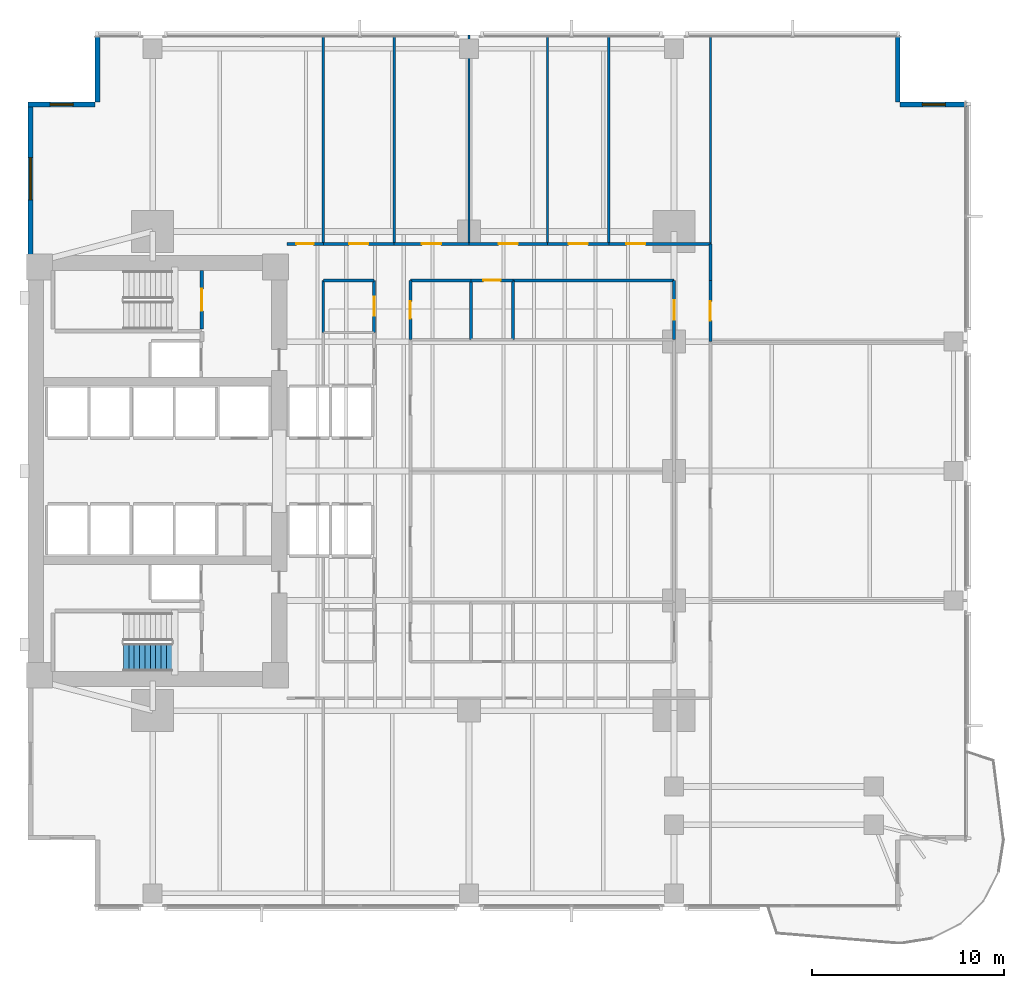
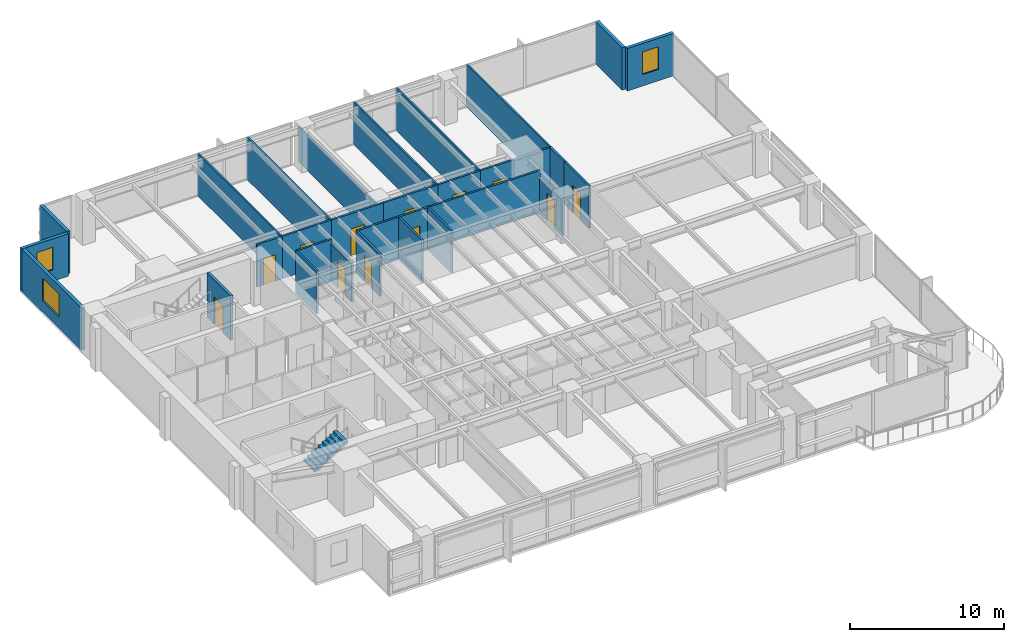
# One storey, part 10 of 15: 30 walls, 12 doors, 3 windows, 1 stair flight, 15 openings, 1 element without a shape of its own.
"""IFC4 building model written with IfcOpenShell, lengths in metres."""

from ifc_helpers import new_model, si_unit, direction, frame, frame_2d, origin, place, context, subcontext, project, spatial, polyline, rectangle, outline, extrude, material, layer, layer_set, type_object, element, fill, aggregate, save


model = new_model("IFC4")

# Units and contexts
model_context = context("Model", 3, precision=1e-05, world=origin(), true_north=direction((0.0, 1.0)))
body_context = subcontext(model_context, "Body", "Model", "MODEL_VIEW")
ifc_project = project(units=[si_unit("LENGTHUNIT", "METRE"), si_unit("AREAUNIT", "SQUARE_METRE"), si_unit("VOLUMEUNIT", "CUBIC_METRE"), si_unit("PLANEANGLEUNIT", "RADIAN"), si_unit("MASSUNIT", "GRAM", prefix="KILO")], contexts=[model_context])

# Site, building, storey
site_placement = place(None, origin())
site = spatial("IfcSite", under=ifc_project, at=site_placement, CompositionType="ELEMENT")
building_placement = place(site_placement, origin())
building = spatial("IfcBuilding", under=site, at=building_placement, Name="Kinhvarn Gate Tower", CompositionType="ELEMENT")
storey_placement = place(building_placement, frame((0.0, 0.0, 46.89990234375)))
storey = spatial("IfcBuildingStorey", under=building, at=storey_placement, Name="L11", CompositionType="ELEMENT", Elevation=46.89990234375)

# Wall, opening, window
ifc_material_1 = material(Name="Fired architectural terracotta", Category="masonry")
ifc_layer_1 = layer(ifc_material_1, 0.25)
ifc_layer_set_1 = layer_set([ifc_layer_1], Name="Fired architectural terracotta")
wall_type_1 = type_object("IfcWallType", Name="WL-EXT-250", PredefinedType="SOLIDWALL", material=ifc_layer_set_1)
wall_1_placement = place(storey_placement, frame((4.625, 44.5, 0.0), z_axis=(0.0, 0.0, 1.0), x_axis=(0.0, -1.0, 0.0)))
wall_1 = element("IfcWall", 1, at=wall_1_placement, inside=storey, type_object=wall_type_1, Name="Exterior Solidwall Wall EW-250 (L11 West-North)", PredefinedType="SOLIDWALL", context=body_context, shape_type="SweptSolid", body=[
    extrude(rectangle(XDim=8.0, YDim=0.25, at=frame_2d((4.0, 0.0))), origin(), (0.0, 0.0, 1.0), 3.3701171875),
])
opening_1_placement = place(wall_1_placement, frame((2.89990234375, 0.0, 0.89990234375)))
opening_1 = element("IfcOpeningElement", 2, at=opening_1_placement, cuts=wall_1, Name="Opening WN-01", PredefinedType="OPENING", context=body_context, shape_type="SweptSolid", body=[
    extrude(rectangle(XDim=2.199951171875, YDim=1.800048828125, at=frame_2d((1.10009765625, 0.89990234375))), frame((0.0, 0.135009765625, 0.0), z_axis=(0.0, -1.0, 0.0), x_axis=(1.0, 0.0, 0.0)), (0.0, 0.0, 1.0), 0.27001953125),
])
ifc_material_2 = material(Name="Clear low-e double glazing", Category="glass")
window_type_1 = type_object("IfcWindowType", Name="WIN-RIB-2200", PartitioningType="SINGLE_PANEL", PredefinedType="WINDOW", material=ifc_material_2)
window_1_placement = place(opening_1_placement, origin())
window_1 = element("IfcWindow", 3, at=window_1_placement, inside=storey, type_object=window_type_1, Name="West Flank Double-Glazed Ribbon Window 2200x1800 mm (L11)", OverallHeight=1.800048828125, OverallWidth=2.199951171875, PartitioningType="SINGLE_PANEL", PredefinedType="WINDOW", context=body_context, shape_type="SweptSolid", body=[
    extrude(rectangle(XDim=2.199951171875, YDim=1.800048828125, at=frame_2d((1.10009765625, 0.89990234375))), frame((0.0, 0.030029296875, 0.0), z_axis=(0.0, -1.0, 0.0), x_axis=(1.0, 0.0, 0.0)), (0.0, 0.0, 1.0), 0.06005859375),
])
fill(opening_1, window_1)

wall_2_placement = place(storey_placement, frame((53.5, 44.375, 0.0), z_axis=(0.0, 0.0, 1.0), x_axis=(-1.0, 0.0, 0.0)))
wall_2 = element("IfcWall", 4, at=wall_2_placement, inside=storey, type_object=wall_type_1, Name="Exterior Solidwall Wall EW-250 (L11 NE-Notch-1)", PredefinedType="SOLIDWALL", context=body_context, shape_type="SweptSolid", body=[
    extrude(rectangle(XDim=3.5, YDim=0.25, at=frame_2d((1.75, 0.0))), origin(), (0.0, 0.0, 1.0), 3.3701171875),
])
opening_2_placement = place(wall_2_placement, frame((1.14990234375, 0.0, 0.89990234375)))
opening_2 = element("IfcOpeningElement", 5, at=opening_2_placement, cuts=wall_2, Name="Opening WN-02", PredefinedType="OPENING", context=body_context, shape_type="SweptSolid", body=[
    extrude(rectangle(XDim=1.199951171875, YDim=1.800048828125, at=frame_2d((0.60009765625, 0.89990234375))), frame((0.0, 0.135009765625, 0.0), z_axis=(0.0, -1.0, 0.0), x_axis=(1.0, 0.0, 0.0)), (0.0, 0.0, 1.0), 0.27001953125),
])
window_type_2 = type_object("IfcWindowType", Name="WIN-NTC-1200", PartitioningType="SINGLE_PANEL", PredefinedType="WINDOW", material=ifc_material_2)
window_2_placement = place(opening_2_placement, origin())
window_2 = element("IfcWindow", 6, at=window_2_placement, inside=storey, type_object=window_type_2, Name="Recessed Corner Notch Punched Window 1200x1800 mm (L11)", OverallHeight=1.800048828125, OverallWidth=1.199951171875, PartitioningType="SINGLE_PANEL", PredefinedType="WINDOW", context=body_context, shape_type="SweptSolid", body=[
    extrude(rectangle(XDim=1.199951171875, YDim=1.800048828125, at=frame_2d((0.60009765625, 0.89990234375))), frame((0.0, 0.030029296875, 0.0), z_axis=(0.0, -1.0, 0.0), x_axis=(1.0, 0.0, 0.0)), (0.0, 0.0, 1.0), 0.06005859375),
])
fill(opening_2, window_2)

# Walls
for number, where, z_axis, x_axis, name in (
    (7, (49.875, 44.5, 0.0), (0.0, 0.0, 1.0), (0.0, 1.0, 0.0), "Exterior Solidwall Wall EW-250 (L11 NE-Notch-2)"),
    (8, (8.125, 48.0, 0.0), (0.0, 0.0, 1.0), (0.0, -1.0, 0.0), "Exterior Solidwall Wall EW-250 (L11 NW-Notch-1)"),
):
    element("IfcWall", number, at=place(storey_placement, frame(where, z_axis=z_axis, x_axis=x_axis)), inside=storey, type_object=wall_type_1, Name=name, PredefinedType="SOLIDWALL", context=body_context, shape_type="SweptSolid", body=[
        extrude(rectangle(XDim=3.5, YDim=0.25, at=frame_2d((1.75, 0.0))), origin(), (0.0, 0.0, 1.0), 3.3701171875),
    ])

# Wall, opening, window
wall_3_placement = place(storey_placement, frame((8.0, 44.375, 0.0), z_axis=(0.0, 0.0, 1.0), x_axis=(-1.0, 0.0, 0.0)))
wall_3 = element("IfcWall", 9, at=wall_3_placement, inside=storey, type_object=wall_type_1, Name="Exterior Solidwall Wall EW-250 (L11 NW-Notch-2)", PredefinedType="SOLIDWALL", context=body_context, shape_type="SweptSolid", body=[
    extrude(rectangle(XDim=3.5, YDim=0.25, at=frame_2d((1.75, 0.0))), origin(), (0.0, 0.0, 1.0), 3.3701171875),
])
opening_3_placement = place(wall_3_placement, frame((1.14990234375, 0.0, 0.89990234375)))
opening_3 = element("IfcOpeningElement", 10, at=opening_3_placement, cuts=wall_3, Name="Opening WN-02", PredefinedType="OPENING", context=body_context, shape_type="SweptSolid", body=[
    extrude(rectangle(XDim=1.199951171875, YDim=1.800048828125, at=frame_2d((0.60009765625, 0.89990234375))), frame((0.0, 0.135009765625, 0.0), z_axis=(0.0, -1.0, 0.0), x_axis=(1.0, 0.0, 0.0)), (0.0, 0.0, 1.0), 0.27001953125),
])
window_3_placement = place(opening_3_placement, origin())
window_3 = element("IfcWindow", 11, at=window_3_placement, inside=storey, type_object=window_type_2, Name="Recessed Corner Notch Punched Window 1200x1800 mm (L11)", OverallHeight=1.800048828125, OverallWidth=1.199951171875, PartitioningType="SINGLE_PANEL", PredefinedType="WINDOW", context=body_context, shape_type="SweptSolid", body=[
    extrude(rectangle(XDim=1.199951171875, YDim=1.800048828125, at=frame_2d((0.60009765625, 0.89990234375))), frame((0.0, 0.030029296875, 0.0), z_axis=(0.0, -1.0, 0.0), x_axis=(1.0, 0.0, 0.0)), (0.0, 0.0, 1.0), 0.06005859375),
])
fill(opening_3, window_3)

# Walls
ifc_material_3 = material(Name="Gypsum acoustic partition board")
ifc_layer_2 = layer(ifc_material_3, 0.14990234375)
ifc_layer_set_2 = layer_set([ifc_layer_2], Name="Gypsum acoustic partition board")
wall_type_2 = type_object("IfcWallType", Name="WL-PLM-150", PredefinedType="PLUMBINGWALL", material=ifc_layer_set_2)
for number, where, z_axis, x_axis, name in (
    (12, (27.60009765625, 32.10009765625, 0.0), (0.0, 0.0, 1.0), (0.0, 1.0, 0.0), "Interior Partition PLW-150 (L11)"),
    (13, (29.800048828125, 32.10009765625, 0.0), (0.0, 0.0, 1.0), (0.0, 1.0, 0.0), "Interior Partition PLW-150 (L11)"),
):
    element("IfcWall", number, at=place(storey_placement, frame(where, z_axis=z_axis, x_axis=x_axis)), inside=storey, type_object=wall_type_2, Name=name, PredefinedType="PLUMBINGWALL", context=body_context, shape_type="SweptSolid", body=[
        extrude(rectangle(XDim=3.099853515625, YDim=0.14990234375, at=frame_2d((1.5498046875, 0.0))), origin(), (0.0, 0.0, 1.0), 3.3701171875),
    ])

# Wall, opening, door
ifc_layer_3 = layer(ifc_material_3, 0.14990234375)
ifc_layer_set_3 = layer_set([ifc_layer_3], Name="Gypsum acoustic partition board")
wall_type_3 = type_object("IfcWallType", Name="WL-PLM-150F", PredefinedType="PLUMBINGWALL", material=ifc_layer_set_3)
wall_4_placement = place(storey_placement, frame((24.449951171875, 32.10009765625, 0.0), z_axis=(0.0, 0.0, 1.0), x_axis=(0.0, 1.0, 0.0)))
wall_4 = element("IfcWall", 14, at=wall_4_placement, inside=storey, type_object=wall_type_3, Name="Interior Partition PLW-150F (L11)", PredefinedType="PLUMBINGWALL", context=body_context, shape_type="SweptSolid", body=[
    extrude(rectangle(XDim=3.099853515625, YDim=0.14990234375, at=frame_2d((1.5498046875, 0.0))), origin(), (0.0, 0.0, 1.0), 3.3701171875),
])
opening_4_placement = place(wall_4_placement, frame((1.10009765625, 0.0, 0.0)))
opening_4 = element("IfcOpeningElement", 15, at=opening_4_placement, cuts=wall_4, Name="Opening FD-04", PredefinedType="OPENING", context=body_context, shape_type="SweptSolid", body=[
    extrude(rectangle(XDim=0.89990234375, YDim=2.10009765625, at=frame_2d((0.449951171875, 1.050048828125))), frame((0.0, 0.0849609375, 0.0), z_axis=(0.0, -1.0, 0.0), x_axis=(1.0, 0.0, 0.0)), (0.0, 0.0, 1.0), 0.169921875),
])
ifc_material_4 = material(Name="Anodised aluminium AW-6063", Category="aluminium")
door_type_1 = type_object("IfcDoorType", Name="DR-FD-900", OperationType="NOTDEFINED", PredefinedType="DOOR", material=ifc_material_4)
door_1_placement = place(opening_4_placement, origin())
door_1 = element("IfcDoor", 16, at=door_1_placement, inside=storey, type_object=door_type_1, Name="Rated Riser & Service Closet Fire Door 900x2100 mm (L11)", OperationType="SINGLE_SWING_LEFT", OverallHeight=2.10009765625, OverallWidth=0.89990234375, PredefinedType="DOOR", context=body_context, shape_type="SweptSolid", body=[
    extrude(rectangle(XDim=0.89990234375, YDim=2.10009765625, at=frame_2d((0.449951171875, 1.050048828125))), frame((0.0, 0.02490234375, 0.0), z_axis=(0.0, -1.0, 0.0), x_axis=(1.0, 0.0, 0.0)), (0.0, 0.0, 1.0), 0.050048828125),
])
fill(opening_4, door_1)

# Wall
wall_5_placement = place(storey_placement, frame((24.449951171875, 35.199951171875, 0.0), z_axis=(0.0, 0.0, 1.0), x_axis=(1.0, 0.0, 0.0)))
element("IfcWall", 17, at=wall_5_placement, inside=storey, type_object=wall_type_3, Name="Interior Partition PLW-150F (L11)", PredefinedType="PLUMBINGWALL", context=body_context, shape_type="SweptSolid", body=[
    extrude(rectangle(XDim=3.150146484375, YDim=0.14990234375, at=frame_2d((1.5751953125, 0.0))), origin(), (0.0, 0.0, 1.0), 3.3701171875),
])

# Wall, opening, door
wall_6_placement = place(storey_placement, frame((27.60009765625, 35.199951171875, 0.0), z_axis=(0.0, 0.0, 1.0), x_axis=(1.0, 0.0, 0.0)))
wall_6 = element("IfcWall", 18, at=wall_6_placement, inside=storey, type_object=wall_type_3, Name="Interior Partition PLW-150F (L11)", PredefinedType="PLUMBINGWALL", context=body_context, shape_type="SweptSolid", body=[
    extrude(rectangle(XDim=2.199951171875, YDim=0.14990234375, at=frame_2d((1.10009765625, 0.0))), origin(), (0.0, 0.0, 1.0), 3.3701171875),
])
opening_5_placement = place(wall_6_placement, frame((0.64990234375, 0.0, 0.0)))
opening_5 = element("IfcOpeningElement", 19, at=opening_5_placement, cuts=wall_6, Name="Opening FD-04", PredefinedType="OPENING", context=body_context, shape_type="SweptSolid", body=[
    extrude(rectangle(XDim=0.89990234375, YDim=2.10009765625, at=frame_2d((0.449951171875, 1.050048828125))), frame((0.0, 0.0849609375, 0.0), z_axis=(0.0, -1.0, 0.0), x_axis=(1.0, 0.0, 0.0)), (0.0, 0.0, 1.0), 0.169921875),
])
door_2_placement = place(opening_5_placement, origin())
door_2 = element("IfcDoor", 20, at=door_2_placement, inside=storey, type_object=door_type_1, Name="Rated Riser & Service Closet Fire Door 900x2100 mm (L11)", OperationType="SINGLE_SWING_LEFT", OverallHeight=2.10009765625, OverallWidth=0.89990234375, PredefinedType="DOOR", context=body_context, shape_type="SweptSolid", body=[
    extrude(rectangle(XDim=0.89990234375, YDim=2.10009765625, at=frame_2d((0.449951171875, 1.050048828125))), frame((0.0, 0.02490234375, 0.0), z_axis=(0.0, -1.0, 0.0), x_axis=(1.0, 0.0, 0.0)), (0.0, 0.0, 1.0), 0.050048828125),
])
fill(opening_5, door_2)

# Walls
ifc_layer_4 = layer(ifc_material_3, 0.1201171875)
ifc_layer_set_4 = layer_set([ifc_layer_4], Name="Gypsum acoustic partition board")
wall_type_4 = type_object("IfcWallType", Name="WL-PRT-120", PredefinedType="PARTITIONING", material=ifc_layer_set_4)
for number, where, z_axis, x_axis, name in (
    (21, (19.89990234375, 37.10009765625, 0.0), (0.0, 0.0, 1.0), (0.0, 1.0, 0.0), "Interior Partition PW-120 (L11)"),
    (22, (23.60009765625, 37.10009765625, 0.0), (0.0, 0.0, 1.0), (0.0, 1.0, 0.0), "Interior Partition PW-120 (L11)"),
):
    element("IfcWall", number, at=place(storey_placement, frame(where, z_axis=z_axis, x_axis=x_axis)), inside=storey, type_object=wall_type_4, Name=name, PredefinedType="PARTITIONING", context=body_context, shape_type="SweptSolid", body=[
        extrude(rectangle(XDim=10.889892578125, YDim=0.1201171875, at=frame_2d((5.44482421875, 0.0))), origin(), (0.0, 0.0, 1.0), 3.3701171875),
    ])
wall_7_placement = place(storey_placement, frame((27.5, 37.10009765625, 0.0), z_axis=(0.0, 0.0, 1.0), x_axis=(0.0, 1.0, 0.0)))
element("IfcWall", 23, at=wall_7_placement, inside=storey, type_object=wall_type_4, Name="Interior Partition PW-120 (L11)", PredefinedType="PARTITIONING", context=body_context, shape_type="SweptSolid", body=[
    extrude(rectangle(XDim=10.889892578125, YDim=0.1201171875, at=frame_2d((5.44482421875, 0.0))), origin(), (0.0, 0.0, 1.0), 2.820068359375),
])
for number, where, z_axis, x_axis, name in (
    (24, (31.60009765625, 37.10009765625, 0.0), (0.0, 0.0, 1.0), (0.0, 1.0, 0.0), "Interior Partition PW-120 (L11)"),
    (25, (34.800048828125, 37.10009765625, 0.0), (0.0, 0.0, 1.0), (0.0, 1.0, 0.0), "Interior Partition PW-120 (L11)"),
    (26, (40.10009765625, 37.10009765625, 0.0), (0.0, 0.0, 1.0), (0.0, 1.0, 0.0), "Interior Partition PW-120 (L11)"),
):
    element("IfcWall", number, at=place(storey_placement, frame(where, z_axis=z_axis, x_axis=x_axis)), inside=storey, type_object=wall_type_4, Name=name, PredefinedType="PARTITIONING", context=body_context, shape_type="SweptSolid", body=[
        extrude(rectangle(XDim=10.889892578125, YDim=0.1201171875, at=frame_2d((5.44482421875, 0.0))), origin(), (0.0, 0.0, 1.0), 3.3701171875),
    ])

# Wall, opening, door
ifc_layer_5 = layer(ifc_material_3, 0.14990234375)
ifc_layer_set_5 = layer_set([ifc_layer_5], Name="Gypsum acoustic partition board")
wall_type_5 = type_object("IfcWallType", Name="WL-PRT-150F", PredefinedType="PARTITIONING", material=ifc_layer_set_5)
wall_8_placement = place(storey_placement, frame((22.550048828125, 32.47998046875, 0.0), z_axis=(0.0, 0.0, 1.0), x_axis=(0.0, 1.0, 0.0)))
wall_8 = element("IfcWall", 27, at=wall_8_placement, inside=storey, type_object=wall_type_5, Name="Interior Partition PW-150F (L11)", PredefinedType="PARTITIONING", context=body_context, shape_type="SweptSolid", body=[
    extrude(rectangle(XDim=2.719970703125, YDim=0.14990234375, at=frame_2d((1.35986328125, 0.0))), origin(), (0.0, 0.0, 1.0), 3.010009765625),
])
opening_6_placement = place(wall_8_placement, frame((0.860107421875, 0.0, 0.0)))
opening_6 = element("IfcOpeningElement", 28, at=opening_6_placement, cuts=wall_8, Name="Opening ID-02", PredefinedType="OPENING", context=body_context, shape_type="SweptSolid", body=[
    extrude(rectangle(XDim=1.0, YDim=2.14990234375, at=frame_2d((0.5, 1.074951171875))), frame((0.0, 0.0849609375, 0.0), z_axis=(0.0, -1.0, 0.0), x_axis=(1.0, 0.0, 0.0)), (0.0, 0.0, 1.0), 0.169921875),
])
door_type_2 = type_object("IfcDoorType", Name="DR-INT-1000", OperationType="NOTDEFINED", PredefinedType="DOOR", material=ifc_material_4)
door_3_placement = place(opening_6_placement, origin())
door_3 = element("IfcDoor", 29, at=door_3_placement, inside=storey, type_object=door_type_2, Name="Standard Office & Meeting Room Door 1000x2150 mm (L11)", OperationType="SINGLE_SWING_LEFT", OverallHeight=2.14990234375, OverallWidth=1.0, PredefinedType="DOOR", context=body_context, shape_type="SweptSolid", body=[
    extrude(rectangle(XDim=1.0, YDim=2.14990234375, at=frame_2d((0.5, 1.074951171875))), frame((0.0, 0.02490234375, 0.0), z_axis=(0.0, -1.0, 0.0), x_axis=(1.0, 0.0, 0.0)), (0.0, 0.0, 1.0), 0.050048828125),
])
fill(opening_6, door_3)

# Walls
wall_9_placement = place(storey_placement, frame((19.89990234375, 32.47998046875, 0.0), z_axis=(0.0, 0.0, 1.0), x_axis=(0.0, 1.0, 0.0)))
element("IfcWall", 30, at=wall_9_placement, inside=storey, type_object=wall_type_5, Name="Interior Partition PW-150F (L11)", PredefinedType="PARTITIONING", context=body_context, shape_type="SweptSolid", body=[
    extrude(rectangle(XDim=2.719970703125, YDim=0.14990234375, at=frame_2d((1.35986328125, 0.0))), origin(), (0.0, 0.0, 1.0), 3.3701171875),
])
wall_10_placement = place(storey_placement, frame((19.89990234375, 35.199951171875, 0.0), z_axis=(0.0, 0.0, 1.0), x_axis=(1.0, 0.0, 0.0)))
element("IfcWall", 31, at=wall_10_placement, inside=storey, type_object=wall_type_5, Name="Interior Partition PW-150F (L11)", PredefinedType="PARTITIONING", context=body_context, shape_type="SweptSolid", body=[
    extrude(rectangle(XDim=2.650146484375, YDim=0.14990234375, at=frame_2d((1.3251953125, 0.0))), origin(), (0.0, 0.0, 1.0), 3.3701171875),
])
wall_11_placement = place(storey_placement, frame((29.800048828125, 35.199951171875, 0.0), z_axis=(0.0, 0.0, 1.0), x_axis=(1.0, 0.0, 0.0)))
element("IfcWall", 32, at=wall_11_placement, inside=storey, type_object=wall_type_5, Name="Interior Partition PW-150F (L11)", PredefinedType="PARTITIONING", context=body_context, shape_type="SweptSolid", body=[
    extrude(rectangle(XDim=8.39990234375, YDim=0.14990234375, at=frame_2d((4.199951171875, 0.0))), origin(), (0.0, 0.0, 1.0), 3.3701171875),
])

# Wall, opening, door
wall_12_placement = place(storey_placement, frame((18.0, 37.10009765625, 0.0), z_axis=(0.0, 0.0, 1.0), x_axis=(1.0, 0.0, 0.0)))
wall_12 = element("IfcWall", 33, at=wall_12_placement, inside=storey, type_object=wall_type_5, Name="Interior Partition PW-150F (L11)", PredefinedType="PARTITIONING", context=body_context, shape_type="SweptSolid", body=[
    extrude(rectangle(XDim=1.89990234375, YDim=0.14990234375, at=frame_2d((0.949951171875, 0.0))), origin(), (0.0, 0.0, 1.0), 3.3701171875),
])
opening_7_placement = place(wall_12_placement, frame((0.5, 0.0, 0.0)))
opening_7 = element("IfcOpeningElement", 34, at=opening_7_placement, cuts=wall_12, Name="Opening ID-03", PredefinedType="OPENING", context=body_context, shape_type="SweptSolid", body=[
    extrude(rectangle(XDim=0.89990234375, YDim=2.10009765625, at=frame_2d((0.449951171875, 1.050048828125))), frame((0.0, 0.0849609375, 0.0), z_axis=(0.0, -1.0, 0.0), x_axis=(1.0, 0.0, 0.0)), (0.0, 0.0, 1.0), 0.169921875),
])
door_type_3 = type_object("IfcDoorType", Name="DR-INT-900", OperationType="NOTDEFINED", PredefinedType="DOOR", material=ifc_material_4)
door_4_placement = place(opening_7_placement, origin())
door_4 = element("IfcDoor", 35, at=door_4_placement, inside=storey, type_object=door_type_3, Name="Cellular Office & Restroom Door 900x2100 mm (L11)", OperationType="SINGLE_SWING_RIGHT", OverallHeight=2.10009765625, OverallWidth=0.89990234375, PredefinedType="DOOR", context=body_context, shape_type="SweptSolid", body=[
    extrude(rectangle(XDim=0.89990234375, YDim=2.10009765625, at=frame_2d((0.449951171875, 1.050048828125))), frame((0.0, 0.02490234375, 0.0), z_axis=(0.0, -1.0, 0.0), x_axis=(1.0, 0.0, 0.0)), (0.0, 0.0, 1.0), 0.050048828125),
])
fill(opening_7, door_4)

wall_13_placement = place(storey_placement, frame((19.89990234375, 37.10009765625, 0.0), z_axis=(0.0, 0.0, 1.0), x_axis=(1.0, 0.0, 0.0)))
wall_13 = element("IfcWall", 36, at=wall_13_placement, inside=storey, type_object=wall_type_5, Name="Interior Partition PW-150F (L11)", PredefinedType="PARTITIONING", context=body_context, shape_type="SweptSolid", body=[
    extrude(rectangle(XDim=3.7001953125, YDim=0.14990234375, at=frame_2d((1.85009765625, 0.0))), origin(), (0.0, 0.0, 1.0), 3.3701171875),
])
opening_8_placement = place(wall_13_placement, frame((1.35009765625, 0.0, 0.0)))
opening_8 = element("IfcOpeningElement", 37, at=opening_8_placement, cuts=wall_13, Name="Opening ID-02", PredefinedType="OPENING", context=body_context, shape_type="SweptSolid", body=[
    extrude(rectangle(XDim=1.0, YDim=2.14990234375, at=frame_2d((0.5, 1.074951171875))), frame((0.0, 0.0849609375, 0.0), z_axis=(0.0, -1.0, 0.0), x_axis=(1.0, 0.0, 0.0)), (0.0, 0.0, 1.0), 0.169921875),
])
door_5_placement = place(opening_8_placement, origin())
door_5 = element("IfcDoor", 38, at=door_5_placement, inside=storey, type_object=door_type_2, Name="Standard Office & Meeting Room Door 1000x2150 mm (L11)", OperationType="SINGLE_SWING_LEFT", OverallHeight=2.14990234375, OverallWidth=1.0, PredefinedType="DOOR", context=body_context, shape_type="SweptSolid", body=[
    extrude(rectangle(XDim=1.0, YDim=2.14990234375, at=frame_2d((0.5, 1.074951171875))), frame((0.0, 0.02490234375, 0.0), z_axis=(0.0, -1.0, 0.0), x_axis=(1.0, 0.0, 0.0)), (0.0, 0.0, 1.0), 0.050048828125),
])
fill(opening_8, door_5)

wall_14_placement = place(storey_placement, frame((23.60009765625, 37.10009765625, 0.0), z_axis=(0.0, 0.0, 1.0), x_axis=(1.0, 0.0, 0.0)))
wall_14 = element("IfcWall", 39, at=wall_14_placement, inside=storey, type_object=wall_type_5, Name="Interior Partition PW-150F (L11)", PredefinedType="PARTITIONING", context=body_context, shape_type="SweptSolid", body=[
    extrude(rectangle(XDim=3.89990234375, YDim=0.14990234375, at=frame_2d((1.949951171875, 0.0))), origin(), (0.0, 0.0, 1.0), 3.3701171875),
])
opening_9_placement = place(wall_14_placement, frame((1.449951171875, 0.0, 0.0)))
opening_9 = element("IfcOpeningElement", 40, at=opening_9_placement, cuts=wall_14, Name="Opening ID-02", PredefinedType="OPENING", context=body_context, shape_type="SweptSolid", body=[
    extrude(rectangle(XDim=1.0, YDim=2.14990234375, at=frame_2d((0.5, 1.074951171875))), frame((0.0, 0.0849609375, 0.0), z_axis=(0.0, -1.0, 0.0), x_axis=(1.0, 0.0, 0.0)), (0.0, 0.0, 1.0), 0.169921875),
])
door_6_placement = place(opening_9_placement, origin())
door_6 = element("IfcDoor", 41, at=door_6_placement, inside=storey, type_object=door_type_2, Name="Standard Office & Meeting Room Door 1000x2150 mm (L11)", OperationType="SINGLE_SWING_RIGHT", OverallHeight=2.14990234375, OverallWidth=1.0, PredefinedType="DOOR", context=body_context, shape_type="SweptSolid", body=[
    extrude(rectangle(XDim=1.0, YDim=2.14990234375, at=frame_2d((0.5, 1.074951171875))), frame((0.0, 0.02490234375, 0.0), z_axis=(0.0, -1.0, 0.0), x_axis=(1.0, 0.0, 0.0)), (0.0, 0.0, 1.0), 0.050048828125),
])
fill(opening_9, door_6)

wall_15_placement = place(storey_placement, frame((27.5, 37.10009765625, 0.0), z_axis=(0.0, 0.0, 1.0), x_axis=(1.0, 0.0, 0.0)))
wall_15 = element("IfcWall", 42, at=wall_15_placement, inside=storey, type_object=wall_type_5, Name="Interior Partition PW-150F (L11)", PredefinedType="PARTITIONING", context=body_context, shape_type="SweptSolid", body=[
    extrude(rectangle(XDim=4.10009765625, YDim=0.14990234375, at=frame_2d((2.050048828125, 0.0))), origin(), (0.0, 0.0, 1.0), 3.3701171875),
])
opening_10_placement = place(wall_15_placement, frame((1.550048828125, 0.0, 0.0)))
opening_10 = element("IfcOpeningElement", 43, at=opening_10_placement, cuts=wall_15, Name="Opening ID-02", PredefinedType="OPENING", context=body_context, shape_type="SweptSolid", body=[
    extrude(rectangle(XDim=1.0, YDim=2.14990234375, at=frame_2d((0.5, 1.074951171875))), frame((0.0, 0.0849609375, 0.0), z_axis=(0.0, -1.0, 0.0), x_axis=(1.0, 0.0, 0.0)), (0.0, 0.0, 1.0), 0.169921875),
])
door_7_placement = place(opening_10_placement, origin())
door_7 = element("IfcDoor", 44, at=door_7_placement, inside=storey, type_object=door_type_2, Name="Standard Office & Meeting Room Door 1000x2150 mm (L11)", OperationType="SINGLE_SWING_LEFT", OverallHeight=2.14990234375, OverallWidth=1.0, PredefinedType="DOOR", context=body_context, shape_type="SweptSolid", body=[
    extrude(rectangle(XDim=1.0, YDim=2.14990234375, at=frame_2d((0.5, 1.074951171875))), frame((0.0, 0.02490234375, 0.0), z_axis=(0.0, -1.0, 0.0), x_axis=(1.0, 0.0, 0.0)), (0.0, 0.0, 1.0), 0.050048828125),
])
fill(opening_10, door_7)

wall_16_placement = place(storey_placement, frame((31.60009765625, 37.10009765625, 0.0), z_axis=(0.0, 0.0, 1.0), x_axis=(1.0, 0.0, 0.0)))
wall_16 = element("IfcWall", 45, at=wall_16_placement, inside=storey, type_object=wall_type_5, Name="Interior Partition PW-150F (L11)", PredefinedType="PARTITIONING", context=body_context, shape_type="SweptSolid", body=[
    extrude(rectangle(XDim=3.199951171875, YDim=0.14990234375, at=frame_2d((1.60009765625, 0.0))), origin(), (0.0, 0.0, 1.0), 3.3701171875),
])
opening_11_placement = place(wall_16_placement, frame((1.10009765625, 0.0, 0.0)))
opening_11 = element("IfcOpeningElement", 46, at=opening_11_placement, cuts=wall_16, Name="Opening ID-02", PredefinedType="OPENING", context=body_context, shape_type="SweptSolid", body=[
    extrude(rectangle(XDim=1.0, YDim=2.14990234375, at=frame_2d((0.5, 1.074951171875))), frame((0.0, 0.0849609375, 0.0), z_axis=(0.0, -1.0, 0.0), x_axis=(1.0, 0.0, 0.0)), (0.0, 0.0, 1.0), 0.169921875),
])
door_8_placement = place(opening_11_placement, origin())
door_8 = element("IfcDoor", 47, at=door_8_placement, inside=storey, type_object=door_type_2, Name="Standard Office & Meeting Room Door 1000x2150 mm (L11)", OperationType="SINGLE_SWING_RIGHT", OverallHeight=2.14990234375, OverallWidth=1.0, PredefinedType="DOOR", context=body_context, shape_type="SweptSolid", body=[
    extrude(rectangle(XDim=1.0, YDim=2.14990234375, at=frame_2d((0.5, 1.074951171875))), frame((0.0, 0.02490234375, 0.0), z_axis=(0.0, -1.0, 0.0), x_axis=(1.0, 0.0, 0.0)), (0.0, 0.0, 1.0), 0.050048828125),
])
fill(opening_11, door_8)

wall_17_placement = place(storey_placement, frame((34.800048828125, 37.10009765625, 0.0), z_axis=(0.0, 0.0, 1.0), x_axis=(1.0, 0.0, 0.0)))
wall_17 = element("IfcWall", 48, at=wall_17_placement, inside=storey, type_object=wall_type_5, Name="Interior Partition PW-150F (L11)", PredefinedType="PARTITIONING", context=body_context, shape_type="SweptSolid", body=[
    extrude(rectangle(XDim=5.300048828125, YDim=0.14990234375, at=frame_2d((2.64990234375, 0.0))), origin(), (0.0, 0.0, 1.0), 3.3701171875),
])
opening_12_placement = place(wall_17_placement, frame((0.909912109375, 0.0, 0.0)))
opening_12 = element("IfcOpeningElement", 49, at=opening_12_placement, cuts=wall_17, Name="Opening ID-02", PredefinedType="OPENING", context=body_context, shape_type="SweptSolid", body=[
    extrude(rectangle(XDim=1.0, YDim=2.14990234375, at=frame_2d((0.5, 1.074951171875))), frame((0.0, 0.0849609375, 0.0), z_axis=(0.0, -1.0, 0.0), x_axis=(1.0, 0.0, 0.0)), (0.0, 0.0, 1.0), 0.169921875),
])
door_9_placement = place(opening_12_placement, origin())
door_9 = element("IfcDoor", 50, at=door_9_placement, inside=storey, type_object=door_type_2, Name="Standard Office & Meeting Room Door 1000x2150 mm (L11)", OperationType="SINGLE_SWING_LEFT", OverallHeight=2.14990234375, OverallWidth=1.0, PredefinedType="DOOR", context=body_context, shape_type="SweptSolid", body=[
    extrude(rectangle(XDim=1.0, YDim=2.14990234375, at=frame_2d((0.5, 1.074951171875))), frame((0.0, 0.02490234375, 0.0), z_axis=(0.0, -1.0, 0.0), x_axis=(1.0, 0.0, 0.0)), (0.0, 0.0, 1.0), 0.050048828125),
])
fill(opening_12, door_9)

# Wall
wall_18_placement = place(storey_placement, frame((40.10009765625, 35.199951171875, 0.0), z_axis=(0.0, 0.0, 1.0), x_axis=(0.0, 1.0, 0.0)))
element("IfcWall", 51, at=wall_18_placement, inside=storey, type_object=wall_type_5, Name="Interior Partition PW-150F (L11)", PredefinedType="PARTITIONING", context=body_context, shape_type="SweptSolid", body=[
    extrude(rectangle(XDim=1.900146484375, YDim=0.14990234375, at=frame_2d((0.9501953125, 0.0))), origin(), (0.0, 0.0, 1.0), 3.3701171875),
])

# Wall, opening, door
wall_19_placement = place(storey_placement, frame((38.199951171875, 32.10009765625, 0.0), z_axis=(0.0, 0.0, 1.0), x_axis=(0.0, 1.0, 0.0)))
wall_19 = element("IfcWall", 52, at=wall_19_placement, inside=storey, type_object=wall_type_5, Name="Interior Partition PW-150F (L11)", PredefinedType="PARTITIONING", context=body_context, shape_type="SweptSolid", body=[
    extrude(rectangle(XDim=3.099853515625, YDim=0.14990234375, at=frame_2d((1.5498046875, 0.0))), origin(), (0.0, 0.0, 1.0), 2.820068359375),
])
opening_13_placement = place(wall_19_placement, frame((1.050048828125, 0.0, 0.0)))
opening_13 = element("IfcOpeningElement", 53, at=opening_13_placement, cuts=wall_19, Name="Opening ID-02", PredefinedType="OPENING", context=body_context, shape_type="SweptSolid", body=[
    extrude(rectangle(XDim=1.0, YDim=2.14990234375, at=frame_2d((0.5, 1.074951171875))), frame((0.0, 0.0849609375, 0.0), z_axis=(0.0, -1.0, 0.0), x_axis=(1.0, 0.0, 0.0)), (0.0, 0.0, 1.0), 0.169921875),
])
door_10_placement = place(opening_13_placement, origin())
door_10 = element("IfcDoor", 54, at=door_10_placement, inside=storey, type_object=door_type_2, Name="Standard Office & Meeting Room Door 1000x2150 mm (L11)", OperationType="SINGLE_SWING_LEFT", OverallHeight=2.14990234375, OverallWidth=1.0, PredefinedType="DOOR", context=body_context, shape_type="SweptSolid", body=[
    extrude(rectangle(XDim=1.0, YDim=2.14990234375, at=frame_2d((0.5, 1.074951171875))), frame((0.0, 0.02490234375, 0.0), z_axis=(0.0, -1.0, 0.0), x_axis=(1.0, 0.0, 0.0)), (0.0, 0.0, 1.0), 0.050048828125),
])
fill(opening_13, door_10)

wall_20_placement = place(storey_placement, frame((40.10009765625, 32.0, 0.0), z_axis=(0.0, 0.0, 1.0), x_axis=(0.0, 1.0, 0.0)))
wall_20 = element("IfcWall", 55, at=wall_20_placement, inside=storey, type_object=wall_type_5, Name="Interior Partition PW-150F (L11)", PredefinedType="PARTITIONING", context=body_context, shape_type="SweptSolid", body=[
    extrude(rectangle(XDim=3.199951171875, YDim=0.14990234375, at=frame_2d((1.60009765625, 0.0))), origin(), (0.0, 0.0, 1.0), 3.3701171875),
])
opening_14_placement = place(wall_20_placement, frame((1.10009765625, 0.0, 0.0)))
opening_14 = element("IfcOpeningElement", 56, at=opening_14_placement, cuts=wall_20, Name="Opening ID-02", PredefinedType="OPENING", context=body_context, shape_type="SweptSolid", body=[
    extrude(rectangle(XDim=1.0, YDim=2.14990234375, at=frame_2d((0.5, 1.074951171875))), frame((0.0, 0.0849609375, 0.0), z_axis=(0.0, -1.0, 0.0), x_axis=(1.0, 0.0, 0.0)), (0.0, 0.0, 1.0), 0.169921875),
])
door_11_placement = place(opening_14_placement, origin())
door_11 = element("IfcDoor", 57, at=door_11_placement, inside=storey, type_object=door_type_2, Name="Standard Office & Meeting Room Door 1000x2150 mm (L11)", OperationType="SINGLE_SWING_RIGHT", OverallHeight=2.14990234375, OverallWidth=1.0, PredefinedType="DOOR", context=body_context, shape_type="SweptSolid", body=[
    extrude(rectangle(XDim=1.0, YDim=2.14990234375, at=frame_2d((0.5, 1.074951171875))), frame((0.0, 0.02490234375, 0.0), z_axis=(0.0, -1.0, 0.0), x_axis=(1.0, 0.0, 0.0)), (0.0, 0.0, 1.0), 0.050048828125),
])
fill(opening_14, door_11)

ifc_material_5 = material(Name="Concrete C40/50", Category="concrete")
ifc_layer_6 = layer(ifc_material_5, 0.199951171875)
ifc_layer_set_6 = layer_set([ifc_layer_6], Name="Concrete C40/50")
wall_type_6 = type_object("IfcWallType", Name="WL-SHF-200", PredefinedType="SOLIDWALL", material=ifc_layer_set_6)
wall_21_placement = place(storey_placement, frame((13.56005859375, 32.64990234375, 0.0), z_axis=(0.0, 0.0, 1.0), x_axis=(0.0, 1.0, 0.0)))
wall_21 = element("IfcWall", 58, at=wall_21_placement, inside=storey, type_object=wall_type_6, Name="Stair ST2 East Entry Wall (L11)", PredefinedType="SOLIDWALL", context=body_context, shape_type="SweptSolid", body=[
    extrude(rectangle(XDim=3.050048828125, YDim=0.199951171875, at=frame_2d((1.52490234375, 0.0))), origin(), (0.0, 0.0, 1.0), 3.550048828125),
])
opening_15_placement = place(wall_21_placement, frame((0.949951171875, 0.0, 0.0)))
opening_15 = element("IfcOpeningElement", 59, at=opening_15_placement, cuts=wall_21, Name="Opening FD-01", PredefinedType="OPENING", context=body_context, shape_type="SweptSolid", body=[
    extrude(rectangle(XDim=1.14990234375, YDim=2.14990234375, at=frame_2d((0.574951171875, 1.074951171875))), frame((0.0, 0.10986328125, 0.0), z_axis=(0.0, -1.0, 0.0), x_axis=(1.0, 0.0, 0.0)), (0.0, 0.0, 1.0), 0.219970703125),
])
door_type_4 = type_object("IfcDoorType", Name="DR-ST-1150", OperationType="NOTDEFINED", PredefinedType="DOOR", material=ifc_material_4)
door_12_placement = place(opening_15_placement, origin())
door_12 = element("IfcDoor", 60, at=door_12_placement, inside=storey, type_object=door_type_4, Name="Exit Stair ST2 Fire Door (L11)", OperationType="SINGLE_SWING_RIGHT", OverallHeight=2.14990234375, OverallWidth=1.14990234375, PredefinedType="DOOR", context=body_context, shape_type="SweptSolid", body=[
    extrude(rectangle(XDim=1.14990234375, YDim=2.14990234375, at=frame_2d((0.574951171875, 1.074951171875))), frame((0.0, 0.02490234375, 0.0), z_axis=(0.0, -1.0, 0.0), x_axis=(1.0, 0.0, 0.0)), (0.0, 0.0, 1.0), 0.050048828125),
])
fill(opening_15, door_12)

# Stair, stair flight
stair_type = type_object("IfcStairType", Name="STR-DLG-178", PredefinedType="HALF_TURN_STAIR", material=ifc_material_5)
stair_placement = place(storey_placement, origin())
stair = element("IfcStair", 61, at=stair_placement, inside=storey, type_object=stair_type, Name="L11 Core Smokeproof Exit Stair ST1", PredefinedType="HALF_TURN_STAIR")
stair_flight_type = type_object("IfcStairFlightType", Name="STF-DLG-178", PredefinedType="STRAIGHT", material=ifc_material_5)
stair_flight_placement = place(storey_placement, frame((9.47998046875, 15.52490234375, 1.775146484375), z_axis=(0.0, 0.0, 1.0), x_axis=(1.0, 0.0, 0.0)))
stair_flight = element("IfcStairFlight", 62, at=stair_flight_placement, type_object=stair_flight_type, Name="ST1 flight 2", NumberOfRisers=10, NumberOfTreads=9, PredefinedType="STRAIGHT", RiserHeight=0.1775, TreadLength=0.28, context=body_context, shape_type="SweptSolid", body=[
    extrude(outline(polyline([(0.0, 0.0), (0.0, 0.177490234375), (0.280029296875, 0.177490234375), (0.280029296875, 0.35498046875), (0.56005859375, 0.35498046875), (0.56005859375, 0.532470703125), (0.840087890625, 0.532470703125), (0.840087890625, 0.7099609375), (1.1201171875, 0.7099609375), (1.1201171875, 0.887451171875), (1.39990234375, 0.887451171875), (1.39990234375, 1.06494140625), (1.679931640625, 1.06494140625), (1.679931640625, 1.242431640625), (1.9599609375, 1.242431640625), (1.9599609375, 1.419921875), (2.239990234375, 1.419921875), (2.239990234375, 1.597412109375), (2.52001953125, 1.597412109375), (2.52001953125, 1.77490234375), (2.52001953125, 1.419921875), (0.280029296875, 0.0), (0.0, 0.0)])), frame((0.0, 0.72509765625, 0.0), z_axis=(0.0, -1.0, 0.0), x_axis=(1.0, 0.0, 0.0)), (0.0, 0.0, 1.0), 1.449951171875),
])
aggregate(stair, [stair_flight])

save(model, "model.ifc")
